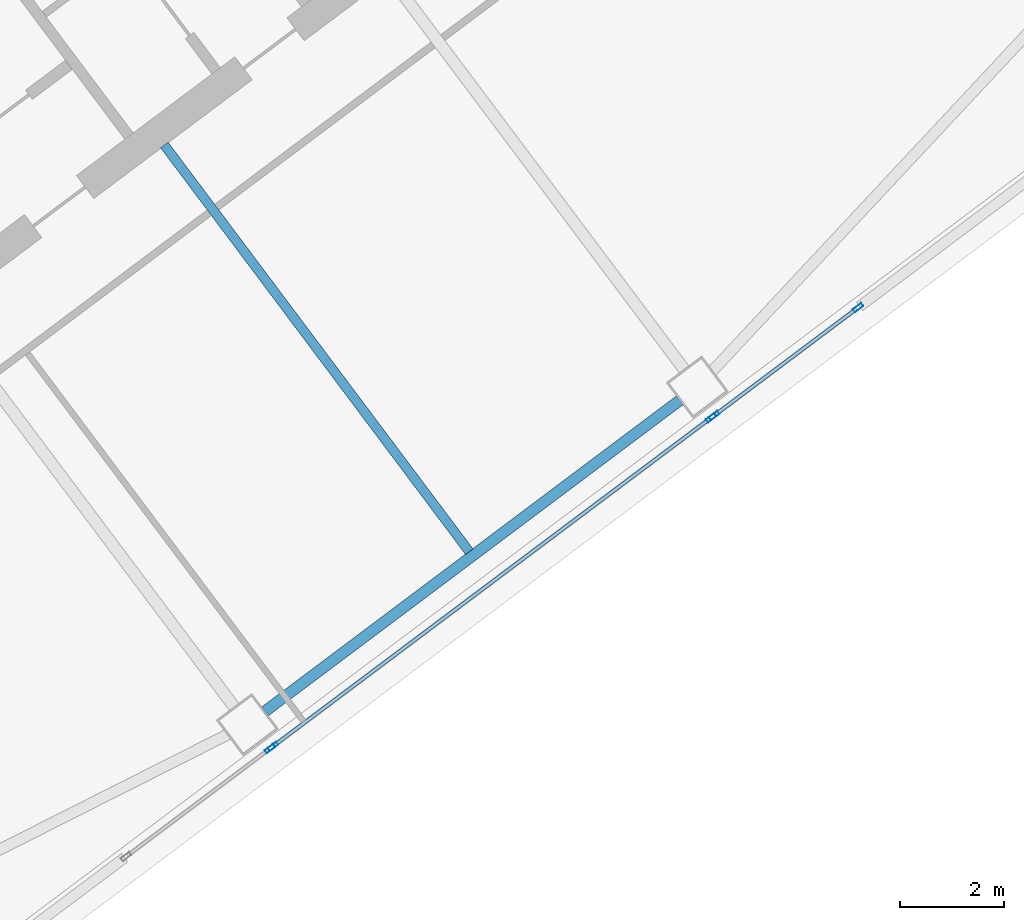
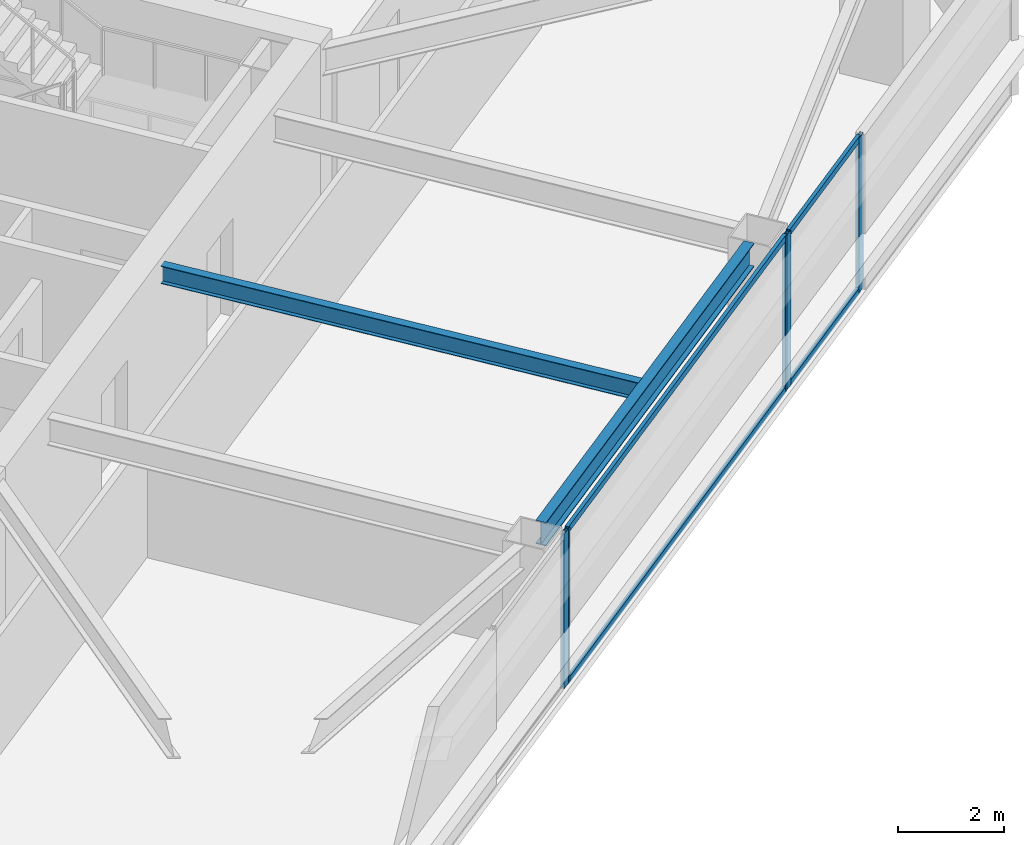
# One storey, part 22 of 41: 9 members, 2 beams, 3 elements without a shape of their own.
"""IFC4 building model written with IfcOpenShell, lengths in metres."""

from ifc_helpers import new_model, si_unit, direction, frame, origin, origin_2d, place, context, subcontext, project, spatial, hollow_rectangle, i_section, extrude, material, material_profile, profile_set, type_object, element, aggregate, save


model = new_model("IFC4")

# Units and contexts
model_context = context("Model", 3, precision=1e-05, world=origin(), true_north=direction((0.0, 1.0)))
body_context = subcontext(model_context, "Body", "Model", "MODEL_VIEW")
ifc_project = project(units=[si_unit("LENGTHUNIT", "METRE"), si_unit("AREAUNIT", "SQUARE_METRE"), si_unit("VOLUMEUNIT", "CUBIC_METRE"), si_unit("PLANEANGLEUNIT", "RADIAN"), si_unit("MASSUNIT", "GRAM", prefix="KILO")], contexts=[model_context])

# Site, building, storey
site_placement = place(None, origin())
site = spatial("IfcSite", under=ifc_project, at=site_placement, CompositionType="ELEMENT")
building_placement = place(site_placement, origin())
building = spatial("IfcBuilding", under=site, at=building_placement, Name="Tashvorn Skyway Center", CompositionType="ELEMENT")
storey_placement = place(building_placement, frame((0.0, 0.0, 146.35009765625)))
storey = spatial("IfcBuildingStorey", under=building, at=storey_placement, Name="L39", CompositionType="ELEMENT", Elevation=146.35009765625)

# Beams
ifc_material_1 = material(Name="Steel ASTM A992 Grade 50", Category="steel")
ifc_material_profile_1 = material_profile(ifc_material_1, i_section(OverallWidth=0.177978515625, OverallDepth=0.406005859375, WebThickness=0.0078125, FlangeThickness=0.0126953125, at=origin_2d()), Name="W16X40")
ifc_profile_set_1 = profile_set([ifc_material_profile_1], Name="Steel ASTM A992 Grade 50")
beam_type_1 = type_object("IfcBeamType", Name="BM-JOIST-W16X40", PredefinedType="JOIST", material=ifc_profile_set_1)
beam_1_placement = place(storey_placement, frame((118.674072265625, 25.76806640625, 3.1669921875), z_axis=(0.599991997409, -0.800006001881, 0.0), x_axis=(0.800006001881, 0.599991997409, 0.0)))
element("IfcBeam", 1, at=beam_1_placement, inside=storey, type_object=beam_type_1, Name="Tower 2 L39 Secondary Composite Joist JS", PredefinedType="JOIST", context=body_context, shape_type="SweptSolid", body=[
    extrude(i_section(OverallWidth=0.177978515625, OverallDepth=0.406005859375, WebThickness=0.0078125, FlangeThickness=0.0126953125, at=origin_2d()), origin(), (0.0, 0.0, 1.0), 9.762451171875),
])
ifc_material_profile_2 = material_profile(ifc_material_1, i_section(OverallWidth=0.2109375, OverallDepth=0.5390625, WebThickness=0.01171875, FlangeThickness=0.018798828125, at=origin_2d()), Name="W21X73")
ifc_profile_set_2 = profile_set([ifc_material_profile_2], Name="Steel ASTM A992 Grade 50")
beam_type_2 = type_object("IfcBeamType", Name="BM-SPANDREL-W21X73", PredefinedType="SPANDREL", material=ifc_profile_set_2)
beam_2_placement = place(storey_placement, frame((120.60595703125, 14.89208984375, 3.100341796875), z_axis=(0.800008824351, 0.599988234018, 0.0), x_axis=(-0.599988234018, 0.800008824351, 0.0)))
element("IfcBeam", 2, at=beam_2_placement, inside=storey, type_object=beam_type_2, Name="Tower 2 L39 Spandrel Beam 02", PredefinedType="SPANDREL", context=body_context, shape_type="SweptSolid", body=[
    extrude(i_section(OverallWidth=0.2109375, OverallDepth=0.5390625, WebThickness=0.01171875, FlangeThickness=0.018798828125, at=origin_2d()), origin(), (0.0, 0.0, 1.0), 9.9599609375),
])

# Curtain wall, members
ifc_material_2 = material(Name="Thermally broken bronze-anodized aluminium 6063-T6", Category="aluminium")
curtain_wall_type = type_object("IfcCurtainWallType", Name="CW-CW-Z3", PredefinedType="NOTDEFINED", material=ifc_material_2)
curtain_wall_1_placement = place(storey_placement, origin())
curtain_wall_1 = element("IfcCurtainWall", 3, at=curtain_wall_1_placement, inside=storey, type_object=curtain_wall_type, Name="Tower 2 L39 South Unitised Curtain Wall Glazing Group 1", PredefinedType="NOTDEFINED")
ifc_material_profile_3 = material_profile(ifc_material_2, hollow_rectangle(XDim=0.074951171875, YDim=0.199951171875, WallThickness=0.00439453125, at=origin_2d()), Name="ALU-MULL-75x200")
ifc_profile_set_3 = profile_set([ifc_material_profile_3], Name="Thermally broken bronze-anodized aluminium 6063-T6")
member_type_1 = type_object("IfcMemberType", Name="CWM-CW-Z3", PredefinedType="MULLION", material=ifc_profile_set_3)
member_1_placement = place(storey_placement, frame((131.995849609375, 22.646728515625, 0.0), z_axis=(0.0, 0.0, 1.0), x_axis=(0.599995465948, -0.800003400519, 0.0)))
member_1 = element("IfcMember", 4, at=member_1_placement, type_object=member_type_1, Name="CW-Z3 mullion 1", PredefinedType="MULLION", context=body_context, shape_type="SweptSolid", body=[
    extrude(hollow_rectangle(XDim=0.074951171875, YDim=0.199951171875, WallThickness=0.00439453125, at=origin_2d()), origin(), (0.0, 0.0, 1.0), 3.5498046875),
])
member_2_placement = place(storey_placement, frame((129.232666015625, 20.574462890625, 0.0), z_axis=(0.0, 0.0, 1.0), x_axis=(0.599995465948, -0.800003400519, 0.0)))
member_2 = element("IfcMember", 5, at=member_2_placement, type_object=member_type_1, Name="CW-Z3 mullion 2", PredefinedType="MULLION", context=body_context, shape_type="SweptSolid", body=[
    extrude(hollow_rectangle(XDim=0.074951171875, YDim=0.199951171875, WallThickness=0.00439453125, at=origin_2d()), origin(), (0.0, 0.0, 1.0), 3.5498046875),
])

curtain_wall_2_placement = place(storey_placement, origin())
curtain_wall_2 = element("IfcCurtainWall", 6, at=curtain_wall_2_placement, inside=storey, type_object=curtain_wall_type, Name="Tower 2 L39 South Unitised Curtain Wall Glazing Group 2", PredefinedType="NOTDEFINED")
member_3_placement = place(storey_placement, frame((129.172607421875, 20.529541015625, 0.0), z_axis=(0.0, 0.0, 1.0), x_axis=(0.599996977339, -0.800002266987, 0.0)))
member_3 = element("IfcMember", 7, at=member_3_placement, type_object=member_type_1, Name="CW-Z3 mullion 1", PredefinedType="MULLION", context=body_context, shape_type="SweptSolid", body=[
    extrude(hollow_rectangle(XDim=0.074951171875, YDim=0.199951171875, WallThickness=0.00439453125, at=origin_2d()), origin(), (0.0, 0.0, 1.0), 3.5498046875),
])
member_4_placement = place(storey_placement, frame((120.76318359375, 14.222412109375, 0.0), z_axis=(0.0, 0.0, 1.0), x_axis=(0.599996977339, -0.800002266987, 0.0)))
member_4 = element("IfcMember", 8, at=member_4_placement, type_object=member_type_1, Name="CW-Z3 mullion 2", PredefinedType="MULLION", context=body_context, shape_type="SweptSolid", body=[
    extrude(hollow_rectangle(XDim=0.074951171875, YDim=0.199951171875, WallThickness=0.00439453125, at=origin_2d()), origin(), (0.0, 0.0, 1.0), 3.5498046875),
])

# Curtain wall, member
curtain_wall_3_placement = place(storey_placement, origin())
curtain_wall_3 = element("IfcCurtainWall", 9, at=curtain_wall_3_placement, inside=storey, type_object=curtain_wall_type, Name="Tower 2 L39 South Unitised Curtain Wall Glazing Group 3", PredefinedType="NOTDEFINED")
member_5_placement = place(storey_placement, frame((120.703369140625, 14.177490234375, 0.0), z_axis=(0.0, 0.0, 1.0), x_axis=(0.599995465948, -0.800003400519, 0.0)))
member_5 = element("IfcMember", 10, at=member_5_placement, type_object=member_type_1, Name="CW-Z3 mullion 1", PredefinedType="MULLION", context=body_context, shape_type="SweptSolid", body=[
    extrude(hollow_rectangle(XDim=0.074951171875, YDim=0.199951171875, WallThickness=0.00439453125, at=origin_2d()), origin(), (0.0, 0.0, 1.0), 3.5498046875),
])
aggregate(curtain_wall_3, [member_5])

# Member
ifc_material_profile_4 = material_profile(ifc_material_2, hollow_rectangle(XDim=0.074951171875, YDim=0.139892578125, WallThickness=0.004150390625, at=origin_2d()), Name="ALU-TRAN-75x140")
ifc_profile_set_4 = profile_set([ifc_material_profile_4], Name="Thermally broken bronze-anodized aluminium 6063-T6")
member_type_2 = type_object("IfcMemberType", Name="CWT-CW-Z3", PredefinedType="USERDEFINED", material=ifc_profile_set_4)
member_6_placement = place(storey_placement, frame((131.9658203125, 22.624267578125, 0.037353515625), z_axis=(-0.8, -0.6, 0.0), x_axis=(0.6, -0.8, 0.0)))
member_6 = element("IfcMember", 11, at=member_6_placement, type_object=member_type_2, Name="CW-Z3 transom 1.1", ObjectType="TRANSOM", PredefinedType="USERDEFINED", context=body_context, shape_type="SweptSolid", body=[
    extrude(hollow_rectangle(XDim=0.074951171875, YDim=0.139892578125, WallThickness=0.004150390625, at=origin_2d()), origin(), (0.0, 0.0, 1.0), 3.37890625),
])

member_7_placement = place(storey_placement, frame((131.9658203125, 22.624267578125, 3.512451171875), z_axis=(-0.8, -0.6, 0.0), x_axis=(0.6, -0.8, 0.0)))
member_7 = element("IfcMember", 12, at=member_7_placement, type_object=member_type_2, Name="CW-Z3 transom 1.2", ObjectType="TRANSOM", PredefinedType="USERDEFINED", context=body_context, shape_type="SweptSolid", body=[
    extrude(hollow_rectangle(XDim=0.074951171875, YDim=0.139892578125, WallThickness=0.004150390625, at=origin_2d()), origin(), (0.0, 0.0, 1.0), 3.37890625),
])

aggregate(curtain_wall_1, [member_1, member_2, member_6, member_7])

member_8_placement = place(storey_placement, frame((129.142578125, 20.507080078125, 0.037353515625), z_axis=(-0.800002807101, -0.599996257181, 0.0), x_axis=(0.599996257181, -0.800002807101, 0.0)))
member_8 = element("IfcMember", 13, at=member_8_placement, type_object=member_type_2, Name="CW-Z3 transom 1.1", ObjectType="TRANSOM", PredefinedType="USERDEFINED", context=body_context, shape_type="SweptSolid", body=[
    extrude(hollow_rectangle(XDim=0.074951171875, YDim=0.139892578125, WallThickness=0.004150390625, at=origin_2d()), origin(), (0.0, 0.0, 1.0), 10.436767578125),
])

member_9_placement = place(storey_placement, frame((129.142578125, 20.507080078125, 3.512451171875), z_axis=(-0.800002807101, -0.599996257181, 0.0), x_axis=(0.599996257181, -0.800002807101, 0.0)))
member_9 = element("IfcMember", 14, at=member_9_placement, type_object=member_type_2, Name="CW-Z3 transom 1.2", ObjectType="TRANSOM", PredefinedType="USERDEFINED", context=body_context, shape_type="SweptSolid", body=[
    extrude(hollow_rectangle(XDim=0.074951171875, YDim=0.139892578125, WallThickness=0.004150390625, at=origin_2d()), origin(), (0.0, 0.0, 1.0), 10.436767578125),
])

aggregate(curtain_wall_2, [member_3, member_4, member_8, member_9])

save(model, "model.ifc")
